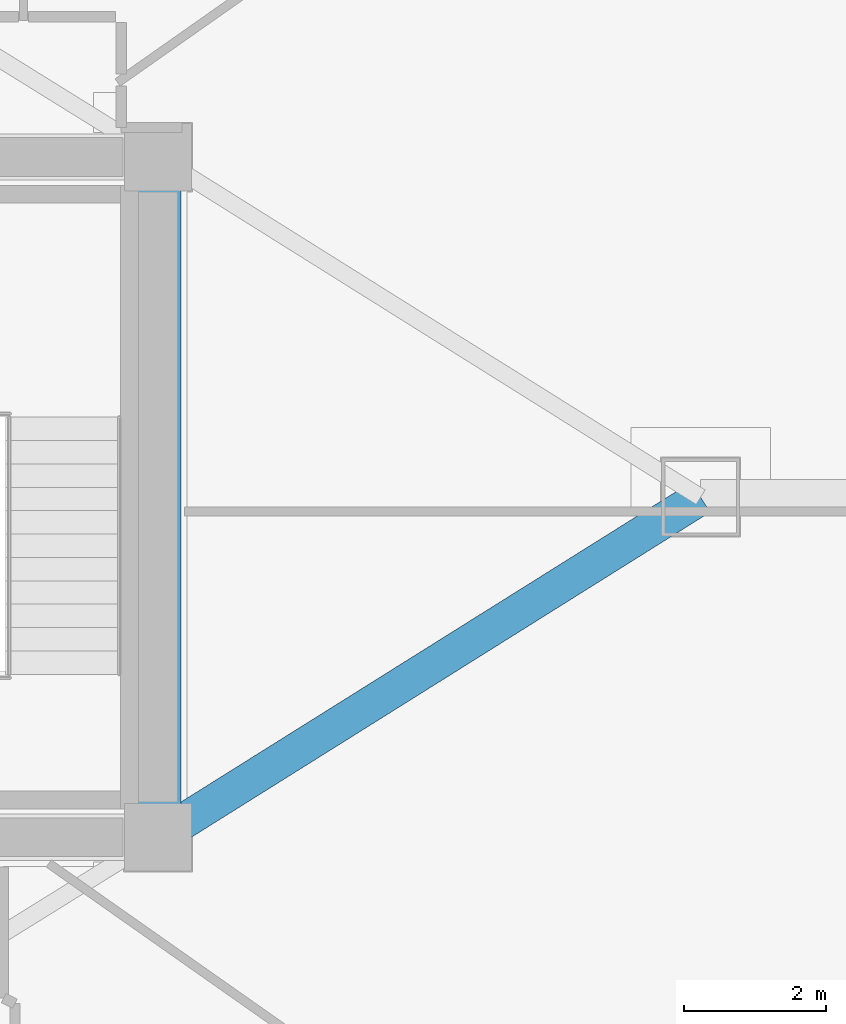
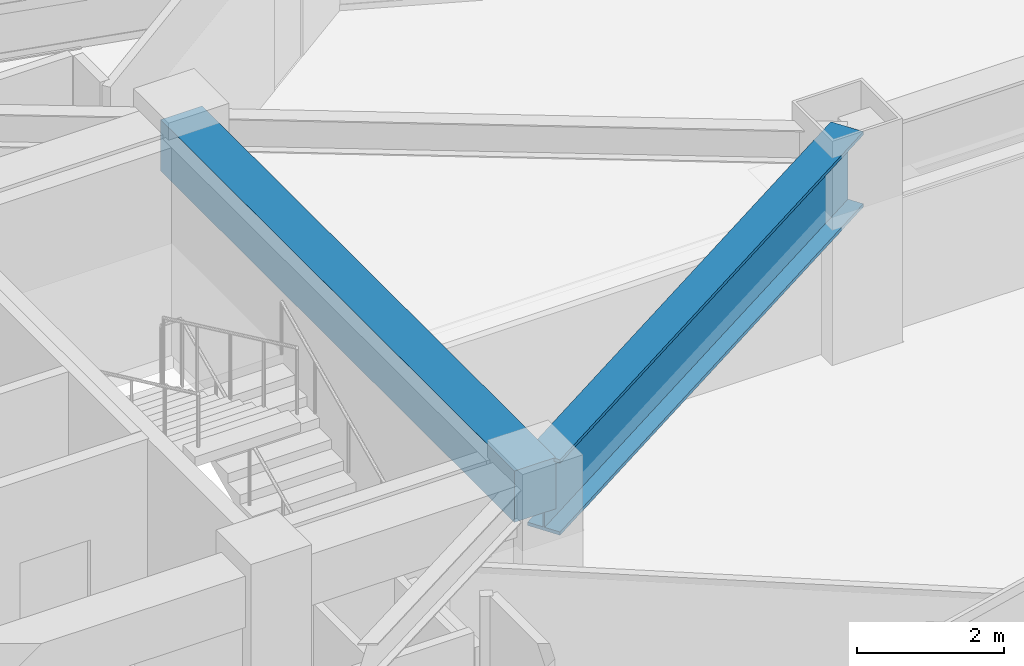
# One storey, part 6 of 18: 2 beams.
"""IFC4 building model written with IfcOpenShell, lengths in metres."""

from ifc_helpers import new_model, si_unit, direction, frame, origin, origin_2d, place, context, subcontext, project, spatial, rectangle, i_section, extrude, material, material_profile, profile_set, type_object, element, save


model = new_model("IFC4")

# Units and contexts
model_context = context("Model", 3, precision=1e-05, world=origin(), true_north=direction((0.0, 1.0)))
body_context = subcontext(model_context, "Body", "Model", "MODEL_VIEW")
ifc_project = project(units=[si_unit("LENGTHUNIT", "METRE"), si_unit("AREAUNIT", "SQUARE_METRE"), si_unit("VOLUMEUNIT", "CUBIC_METRE"), si_unit("PLANEANGLEUNIT", "RADIAN"), si_unit("MASSUNIT", "GRAM", prefix="KILO")], contexts=[model_context])

# Site, building, storey
site_placement = place(None, origin())
site = spatial("IfcSite", under=ifc_project, at=site_placement, CompositionType="ELEMENT")
building_placement = place(site_placement, origin())
building = spatial("IfcBuilding", under=site, at=building_placement, Name="Menara Vayukalpa", CompositionType="ELEMENT")
storey_placement = place(building_placement, frame((0.0, 0.0, 169.199951171875)))
storey = spatial("IfcBuildingStorey", under=building, at=storey_placement, Name="L42", CompositionType="ELEMENT", Elevation=169.199951171875)

# Beams
ifc_material_1 = material(Name="Concrete C60/75", Category="concrete")
ifc_material_profile_1 = material_profile(ifc_material_1, rectangle(XDim=0.64990234375, YDim=0.85009765625, at=origin_2d()), Name="RC 650x850")
ifc_profile_set_1 = profile_set([ifc_material_profile_1], Name="Concrete C60/75")
beam_type_1 = type_object("IfcBeamType", Name="BM-CB1", PredefinedType="BEAM", material=ifc_profile_set_1)
beam_1_placement = place(storey_placement, frame((33.39990234375, 17.199951171875, 3.01513671875), z_axis=(0.0, 1.0, 0.0), x_axis=(-1.0, 0.0, 0.0)))
element("IfcBeam", 1, at=beam_1_placement, inside=storey, type_object=beam_type_1, Name="L42 Core Tie Beam CBR8", PredefinedType="BEAM", context=body_context, shape_type="SweptSolid", body=[
    extrude(rectangle(XDim=0.64990234375, YDim=0.85009765625, at=origin_2d()), origin(), (0.0, 0.0, 1.0), 9.60009765625),
])
ifc_material_2 = material(Name="Steel S460", Category="steel")
ifc_material_profile_2 = material_profile(ifc_material_2, i_section(OverallWidth=0.5, OverallDepth=1.25, WebThickness=0.028076171875, FlangeThickness=0.054931640625, at=origin_2d()), Name="WG 1250x500x28x55")
ifc_profile_set_2 = profile_set([ifc_material_profile_2], Name="Steel S460")
beam_type_2 = type_object("IfcBeamType", Name="BM-TG2", PredefinedType="BEAM", material=ifc_profile_set_2)
beam_2_placement = place(storey_placement, frame((33.61181640625, 17.332763671875, 2.81494140625), z_axis=(0.847348467727, 0.531037262573, 0.0), x_axis=(-0.531037262573, 0.847348467727, 0.0)))
element("IfcBeam", 2, at=beam_2_placement, inside=storey, type_object=beam_type_2, Name="L42 Primary Radial Girder RG01", PredefinedType="BEAM", context=body_context, shape_type="SweptSolid", body=[
    extrude(i_section(OverallWidth=0.5, OverallDepth=1.25, WebThickness=0.028076171875, FlangeThickness=0.054931640625, at=origin_2d()), origin(), (0.0, 0.0, 1.0), 8.788818359375),
])

save(model, "model.ifc")
